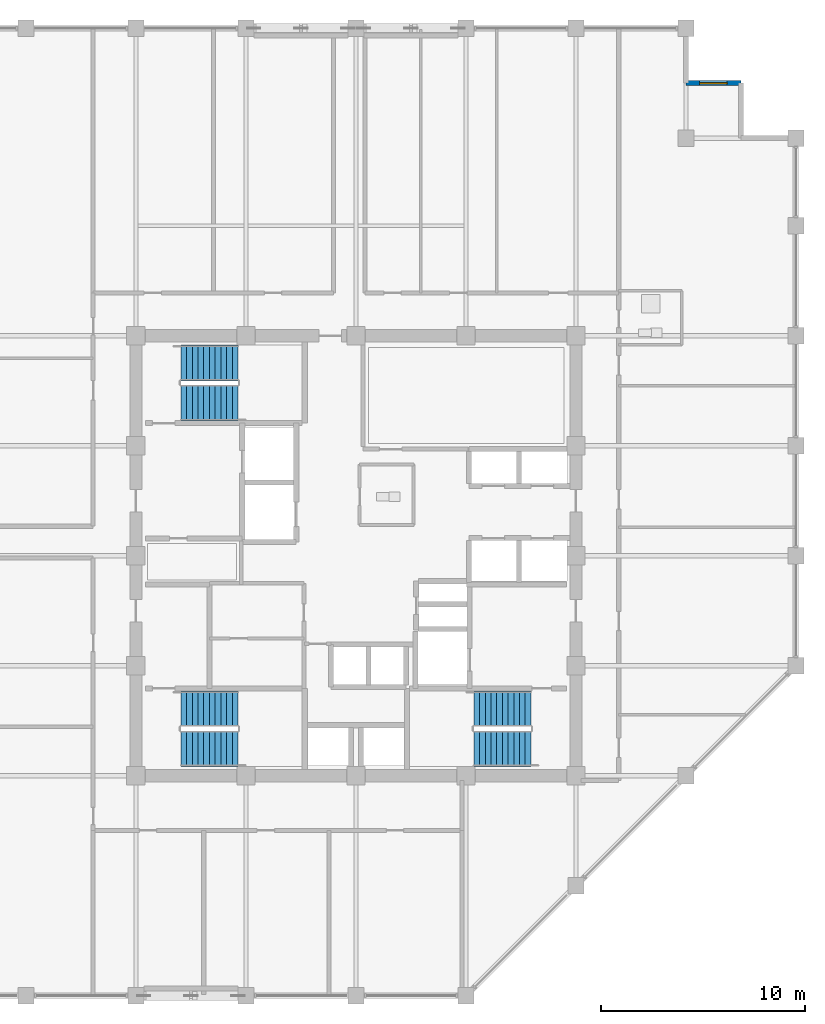
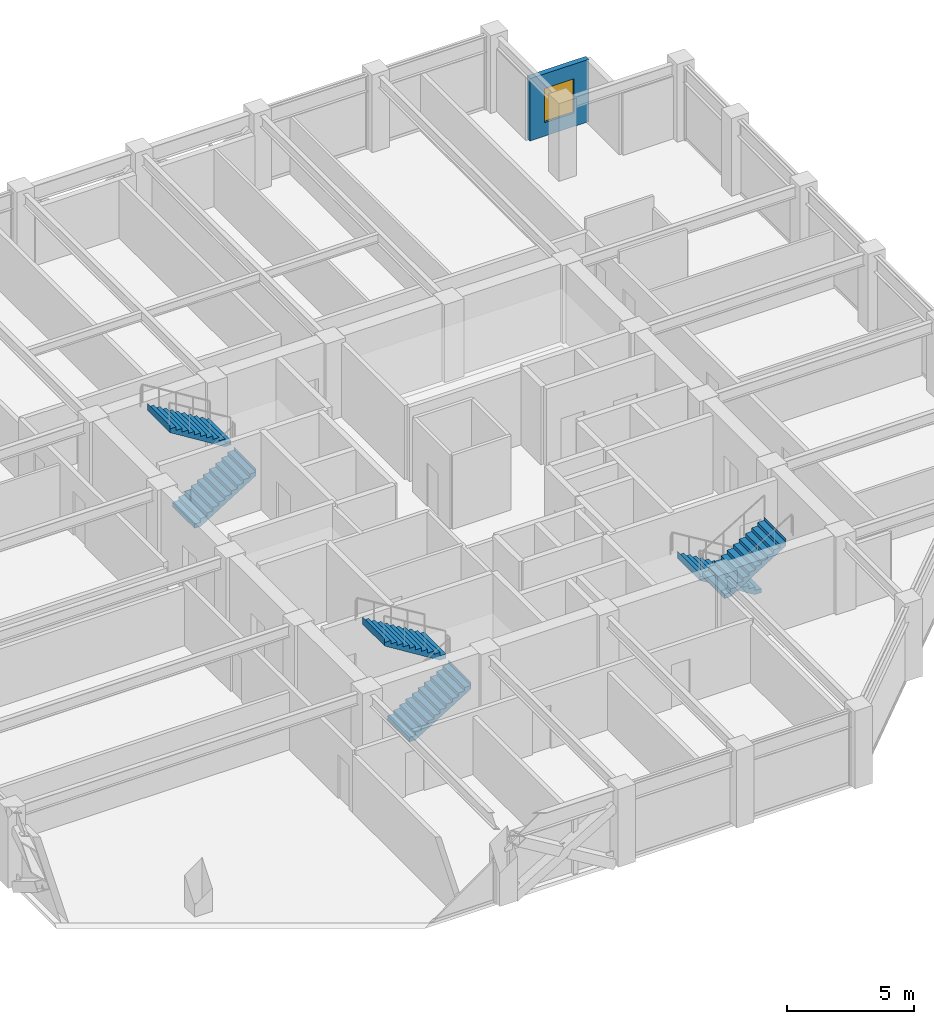
# One storey, part 30 of 32: 6 stair flights, 1 wall, 1 window, 1 opening, 3 elements without a shape of their own.
"""IFC4 building model written with IfcOpenShell, lengths in metres."""

from ifc_helpers import new_model, si_unit, direction, frame, frame_2d, origin, place, context, subcontext, project, spatial, polyline, rectangle, outline, extrude, material, layer, layer_set, type_object, element, fill, aggregate, save


model = new_model("IFC4")

# Units and contexts
model_context = context("Model", 3, precision=1e-05, world=origin(), true_north=direction((0.0, 1.0)))
body_context = subcontext(model_context, "Body", "Model", "MODEL_VIEW")
ifc_project = project(units=[si_unit("LENGTHUNIT", "METRE"), si_unit("AREAUNIT", "SQUARE_METRE"), si_unit("VOLUMEUNIT", "CUBIC_METRE"), si_unit("PLANEANGLEUNIT", "RADIAN"), si_unit("MASSUNIT", "GRAM", prefix="KILO")], contexts=[model_context])

# Site, building, storey
site_placement = place(None, origin())
site = spatial("IfcSite", under=ifc_project, at=site_placement, CompositionType="ELEMENT")
building_placement = place(site_placement, origin())
building = spatial("IfcBuilding", under=site, at=building_placement, Name="Surkhivell Harbour Commons", CompositionType="ELEMENT")
storey_placement = place(building_placement, frame((0.0, 0.0, 216.0)))
storey = spatial("IfcBuildingStorey", under=building, at=storey_placement, Name="L56", CompositionType="ELEMENT", Elevation=216.0)

# Wall, opening, window
ifc_material_1 = material(Name="Bronze-ochre cassette precast concrete C45/55", Category="concrete")
ifc_layer = layer(ifc_material_1, 0.239990234375)
ifc_layer_set = layer_set([ifc_layer], Name="Bronze-ochre cassette precast concrete C45/55")
wall_type = type_object("IfcWallType", Name="WAL-EXT-OCH240", PredefinedType="STANDARD", material=ifc_layer_set)
wall_placement = place(storey_placement, frame((18.89990234375, 23.199951171875, 0.0), z_axis=(0.0, 0.0, 1.0), x_axis=(-1.0, 0.0, 0.0)))
wall = element("IfcWall", 1, at=wall_placement, inside=storey, type_object=wall_type, Name="L56 Serrated Corner Facade Wall 05", PredefinedType="STANDARD", context=body_context, shape_type="SweptSolid", body=[
    extrude(rectangle(XDim=2.699951171875, YDim=0.239990234375, at=frame_2d((1.35009765625, 0.0))), origin(), (0.0, 0.0, 1.0), 3.006103515625),
])
opening_placement = place(wall_placement, frame((0.675048828125, 0.0, 0.64990234375)))
opening = element("IfcOpeningElement", 2, at=opening_placement, cuts=wall, Name="Opening WN-08", PredefinedType="OPENING", context=body_context, shape_type="SweptSolid", body=[
    extrude(rectangle(XDim=1.35009765625, YDim=1.64990234375, at=frame_2d((0.675048828125, 0.824951171875))), frame((0.0, 0.1298828125, 0.0), z_axis=(0.0, -1.0, 0.0), x_axis=(1.0, 0.0, 0.0)), (0.0, 0.0, 1.0), 0.260009765625),
])
ifc_material_2 = material(Name="Thermal-break aluminium frame and double low-E glazing", Category="aluminium")
window_type = type_object("IfcWindowType", Name="WIN-SER-1350x1650", PartitioningType="SINGLE_PANEL", PredefinedType="WINDOW", material=ifc_material_2)
window_placement = place(opening_placement, origin())
window = element("IfcWindow", 3, at=window_placement, inside=storey, type_object=window_type, Name="L56 Serrated Alcove Window 05", OverallHeight=1.64990234375, OverallWidth=1.35009765625, PartitioningType="SINGLE_PANEL", PredefinedType="WINDOW", context=body_context, shape_type="SweptSolid", body=[
    extrude(rectangle(XDim=1.35009765625, YDim=1.64990234375, at=frame_2d((0.675048828125, 0.824951171875))), frame((0.0, 0.030029296875, 0.0), z_axis=(0.0, -1.0, 0.0), x_axis=(1.0, 0.0, 0.0)), (0.0, 0.0, 1.0), 0.06005859375),
])
fill(opening, window)

# Stair, stair flights
ifc_material_3 = material(Name="Precast concrete C45/55", Category="concrete")
stair_type = type_object("IfcStairType", Name="STR-DL-375", PredefinedType="HALF_TURN_STAIR", material=ifc_material_3)
stair_1_placement = place(storey_placement, origin())
stair_1 = element("IfcStair", 4, at=stair_1_placement, inside=storey, type_object=stair_type, Name="L56 Core Exit Stair ST1", PredefinedType="HALF_TURN_STAIR")
stair_flight_type = type_object("IfcStairFlightType", Name="STF-DL-375", PredefinedType="STRAIGHT", material=ifc_material_3)
stair_flight_1_placement = place(storey_placement, frame((-8.590087890625, 7.514892578125, 0.0), z_axis=(0.0, 0.0, 1.0), x_axis=(1.0, 0.0, 0.0)))
stair_flight_1 = element("IfcStairFlight", 5, at=stair_flight_1_placement, type_object=stair_flight_type, Name="ST1 flight 1", NumberOfRisers=11, NumberOfTreads=10, PredefinedType="STRAIGHT", RiserHeight=0.170454545, TreadLength=0.28, context=body_context, shape_type="SweptSolid", body=[
    extrude(outline(polyline([(-0.0029296875, -0.034912109375), (-0.0029296875, 0.0), (0.0, 0.0), (0.0, 0.17041015625), (0.280029296875, 0.17041015625), (0.280029296875, 0.3408203125), (0.56005859375, 0.3408203125), (0.56005859375, 0.511474609375), (0.840087890625, 0.511474609375), (0.840087890625, 0.681884765625), (1.1201171875, 0.681884765625), (1.1201171875, 0.852294921875), (1.39990234375, 0.852294921875), (1.39990234375, 1.022705078125), (1.679931640625, 1.022705078125), (1.679931640625, 1.193115234375), (1.9599609375, 1.193115234375), (1.9599609375, 1.363525390625), (2.239990234375, 1.363525390625), (2.239990234375, 1.5341796875), (2.52001953125, 1.5341796875), (2.52001953125, 1.70458984375), (2.800048828125, 1.70458984375), (2.800048828125, 1.875), (2.802978515625, 1.875), (2.802978515625, 1.529052734375), (0.288330078125, -0.034912109375), (-0.0029296875, -0.034912109375)])), frame((0.0, 0.875, 0.0), z_axis=(0.0, -1.0, 0.0), x_axis=(1.0, 0.0, 0.0)), (0.0, 0.0, 1.0), 1.75),
])
stair_flight_2_placement = place(storey_placement, frame((-5.7900390625, 9.465087890625, 1.875), z_axis=(0.0, 0.0, 1.0), x_axis=(-1.0, 0.0, 0.0)))
stair_flight_2 = element("IfcStairFlight", 6, at=stair_flight_2_placement, type_object=stair_flight_type, Name="ST1 flight 2", NumberOfRisers=11, NumberOfTreads=10, PredefinedType="STRAIGHT", RiserHeight=0.170454545, TreadLength=0.28, context=body_context, shape_type="SweptSolid", body=[
    extrude(outline(polyline([(-0.0029296875, -0.034912109375), (-0.0029296875, 0.0), (0.0, 0.0), (0.0, 0.17041015625), (0.280029296875, 0.17041015625), (0.280029296875, 0.3408203125), (0.56005859375, 0.3408203125), (0.56005859375, 0.511474609375), (0.840087890625, 0.511474609375), (0.840087890625, 0.681884765625), (1.1201171875, 0.681884765625), (1.1201171875, 0.852294921875), (1.39990234375, 0.852294921875), (1.39990234375, 1.022705078125), (1.679931640625, 1.022705078125), (1.679931640625, 1.193115234375), (1.9599609375, 1.193115234375), (1.9599609375, 1.363525390625), (2.239990234375, 1.363525390625), (2.239990234375, 1.5341796875), (2.52001953125, 1.5341796875), (2.52001953125, 1.70458984375), (2.800048828125, 1.70458984375), (2.800048828125, 1.875), (2.802978515625, 1.875), (2.802978515625, 1.529052734375), (0.288330078125, -0.034912109375), (-0.0029296875, -0.034912109375)])), frame((0.0, 0.875, 0.0), z_axis=(0.0, -1.0, 0.0), x_axis=(1.0, 0.0, 0.0)), (0.0, 0.0, 1.0), 1.75),
])
aggregate(stair_1, [stair_flight_1, stair_flight_2])

stair_2_placement = place(storey_placement, origin())
stair_2 = element("IfcStair", 7, at=stair_2_placement, inside=storey, type_object=stair_type, Name="L56 Core Exit Stair ST2", PredefinedType="HALF_TURN_STAIR")
stair_flight_3_placement = place(storey_placement, frame((8.590087890625, -7.514892578125, 0.0), z_axis=(0.0, 0.0, 1.0), x_axis=(-1.0, 0.0, 0.0)))
stair_flight_3 = element("IfcStairFlight", 8, at=stair_flight_3_placement, type_object=stair_flight_type, Name="ST2 flight 1", NumberOfRisers=11, NumberOfTreads=10, PredefinedType="STRAIGHT", RiserHeight=0.170454545, TreadLength=0.28, context=body_context, shape_type="SweptSolid", body=[
    extrude(outline(polyline([(-0.0029296875, -0.034912109375), (-0.0029296875, 0.0), (0.0, 0.0), (0.0, 0.17041015625), (0.280029296875, 0.17041015625), (0.280029296875, 0.3408203125), (0.56005859375, 0.3408203125), (0.56005859375, 0.511474609375), (0.840087890625, 0.511474609375), (0.840087890625, 0.681884765625), (1.1201171875, 0.681884765625), (1.1201171875, 0.852294921875), (1.39990234375, 0.852294921875), (1.39990234375, 1.022705078125), (1.679931640625, 1.022705078125), (1.679931640625, 1.193115234375), (1.9599609375, 1.193115234375), (1.9599609375, 1.363525390625), (2.239990234375, 1.363525390625), (2.239990234375, 1.5341796875), (2.52001953125, 1.5341796875), (2.52001953125, 1.70458984375), (2.800048828125, 1.70458984375), (2.800048828125, 1.875), (2.802978515625, 1.875), (2.802978515625, 1.529052734375), (0.288330078125, -0.034912109375), (-0.0029296875, -0.034912109375)])), frame((0.0, 0.875, 0.0), z_axis=(0.0, -1.0, 0.0), x_axis=(1.0, 0.0, 0.0)), (0.0, 0.0, 1.0), 1.75),
])
stair_flight_4_placement = place(storey_placement, frame((5.7900390625, -9.465087890625, 1.875), z_axis=(0.0, 0.0, 1.0), x_axis=(1.0, 0.0, 0.0)))
stair_flight_4 = element("IfcStairFlight", 9, at=stair_flight_4_placement, type_object=stair_flight_type, Name="ST2 flight 2", NumberOfRisers=11, NumberOfTreads=10, PredefinedType="STRAIGHT", RiserHeight=0.170454545, TreadLength=0.28, context=body_context, shape_type="SweptSolid", body=[
    extrude(outline(polyline([(-0.0029296875, -0.034912109375), (-0.0029296875, 0.0), (0.0, 0.0), (0.0, 0.17041015625), (0.280029296875, 0.17041015625), (0.280029296875, 0.3408203125), (0.56005859375, 0.3408203125), (0.56005859375, 0.511474609375), (0.840087890625, 0.511474609375), (0.840087890625, 0.681884765625), (1.1201171875, 0.681884765625), (1.1201171875, 0.852294921875), (1.39990234375, 0.852294921875), (1.39990234375, 1.022705078125), (1.679931640625, 1.022705078125), (1.679931640625, 1.193115234375), (1.9599609375, 1.193115234375), (1.9599609375, 1.363525390625), (2.239990234375, 1.363525390625), (2.239990234375, 1.5341796875), (2.52001953125, 1.5341796875), (2.52001953125, 1.70458984375), (2.800048828125, 1.70458984375), (2.800048828125, 1.875), (2.802978515625, 1.875), (2.802978515625, 1.529052734375), (0.288330078125, -0.034912109375), (-0.0029296875, -0.034912109375)])), frame((0.0, 0.875, 0.0), z_axis=(0.0, -1.0, 0.0), x_axis=(1.0, 0.0, 0.0)), (0.0, 0.0, 1.0), 1.75),
])
aggregate(stair_2, [stair_flight_3, stair_flight_4])

stair_3_placement = place(storey_placement, origin())
stair_3 = element("IfcStair", 10, at=stair_3_placement, inside=storey, type_object=stair_type, Name="L56 Core Exit Stair ST3", PredefinedType="HALF_TURN_STAIR")
stair_flight_5_placement = place(storey_placement, frame((-8.590087890625, -9.465087890625, 0.0), z_axis=(0.0, 0.0, 1.0), x_axis=(1.0, 0.0, 0.0)))
stair_flight_5 = element("IfcStairFlight", 11, at=stair_flight_5_placement, type_object=stair_flight_type, Name="ST3 flight 1", NumberOfRisers=11, NumberOfTreads=10, PredefinedType="STRAIGHT", RiserHeight=0.170454545, TreadLength=0.28, context=body_context, shape_type="SweptSolid", body=[
    extrude(outline(polyline([(-0.0029296875, -0.034912109375), (-0.0029296875, 0.0), (0.0, 0.0), (0.0, 0.17041015625), (0.280029296875, 0.17041015625), (0.280029296875, 0.3408203125), (0.56005859375, 0.3408203125), (0.56005859375, 0.511474609375), (0.840087890625, 0.511474609375), (0.840087890625, 0.681884765625), (1.1201171875, 0.681884765625), (1.1201171875, 0.852294921875), (1.39990234375, 0.852294921875), (1.39990234375, 1.022705078125), (1.679931640625, 1.022705078125), (1.679931640625, 1.193115234375), (1.9599609375, 1.193115234375), (1.9599609375, 1.363525390625), (2.239990234375, 1.363525390625), (2.239990234375, 1.5341796875), (2.52001953125, 1.5341796875), (2.52001953125, 1.70458984375), (2.800048828125, 1.70458984375), (2.800048828125, 1.875), (2.802978515625, 1.875), (2.802978515625, 1.529052734375), (0.288330078125, -0.034912109375), (-0.0029296875, -0.034912109375)])), frame((0.0, 0.875, 0.0), z_axis=(0.0, -1.0, 0.0), x_axis=(1.0, 0.0, 0.0)), (0.0, 0.0, 1.0), 1.75),
])
stair_flight_6_placement = place(storey_placement, frame((-5.7900390625, -7.514892578125, 1.875), z_axis=(0.0, 0.0, 1.0), x_axis=(-1.0, 0.0, 0.0)))
stair_flight_6 = element("IfcStairFlight", 12, at=stair_flight_6_placement, type_object=stair_flight_type, Name="ST3 flight 2", NumberOfRisers=11, NumberOfTreads=10, PredefinedType="STRAIGHT", RiserHeight=0.170454545, TreadLength=0.28, context=body_context, shape_type="SweptSolid", body=[
    extrude(outline(polyline([(-0.0029296875, -0.034912109375), (-0.0029296875, 0.0), (0.0, 0.0), (0.0, 0.17041015625), (0.280029296875, 0.17041015625), (0.280029296875, 0.3408203125), (0.56005859375, 0.3408203125), (0.56005859375, 0.511474609375), (0.840087890625, 0.511474609375), (0.840087890625, 0.681884765625), (1.1201171875, 0.681884765625), (1.1201171875, 0.852294921875), (1.39990234375, 0.852294921875), (1.39990234375, 1.022705078125), (1.679931640625, 1.022705078125), (1.679931640625, 1.193115234375), (1.9599609375, 1.193115234375), (1.9599609375, 1.363525390625), (2.239990234375, 1.363525390625), (2.239990234375, 1.5341796875), (2.52001953125, 1.5341796875), (2.52001953125, 1.70458984375), (2.800048828125, 1.70458984375), (2.800048828125, 1.875), (2.802978515625, 1.875), (2.802978515625, 1.529052734375), (0.288330078125, -0.034912109375), (-0.0029296875, -0.034912109375)])), frame((0.0, 0.875, 0.0), z_axis=(0.0, -1.0, 0.0), x_axis=(1.0, 0.0, 0.0)), (0.0, 0.0, 1.0), 1.75),
])
aggregate(stair_3, [stair_flight_5, stair_flight_6])

save(model, "model.ifc")
